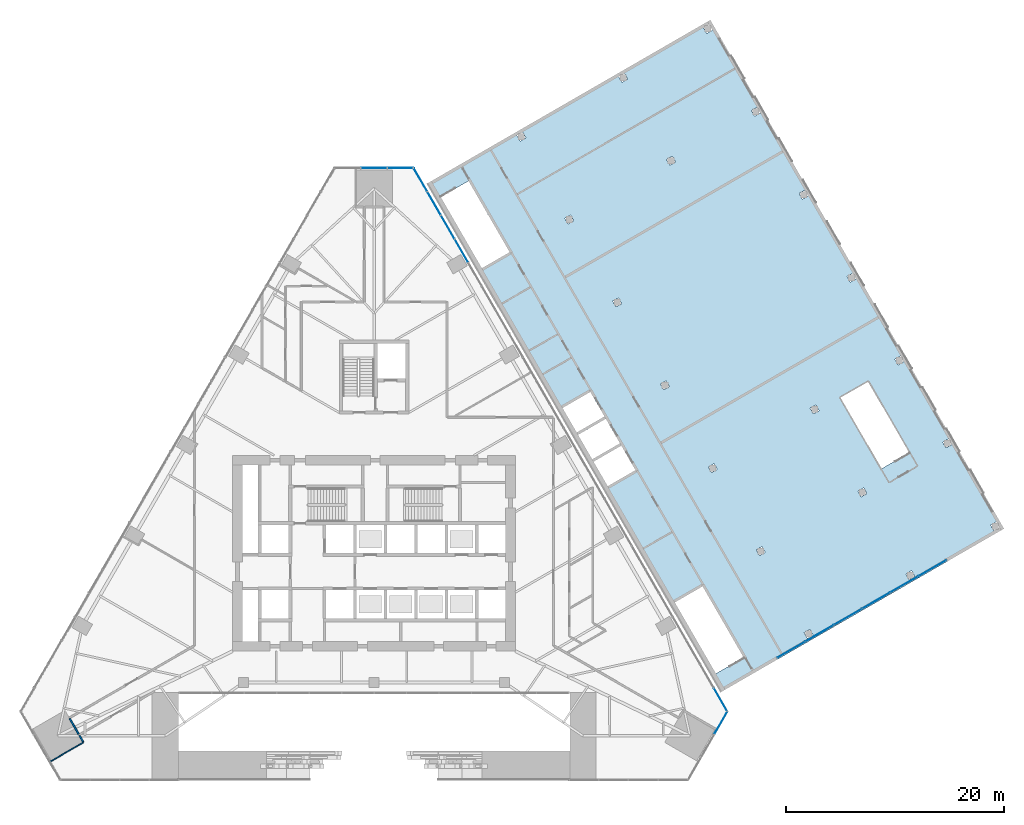
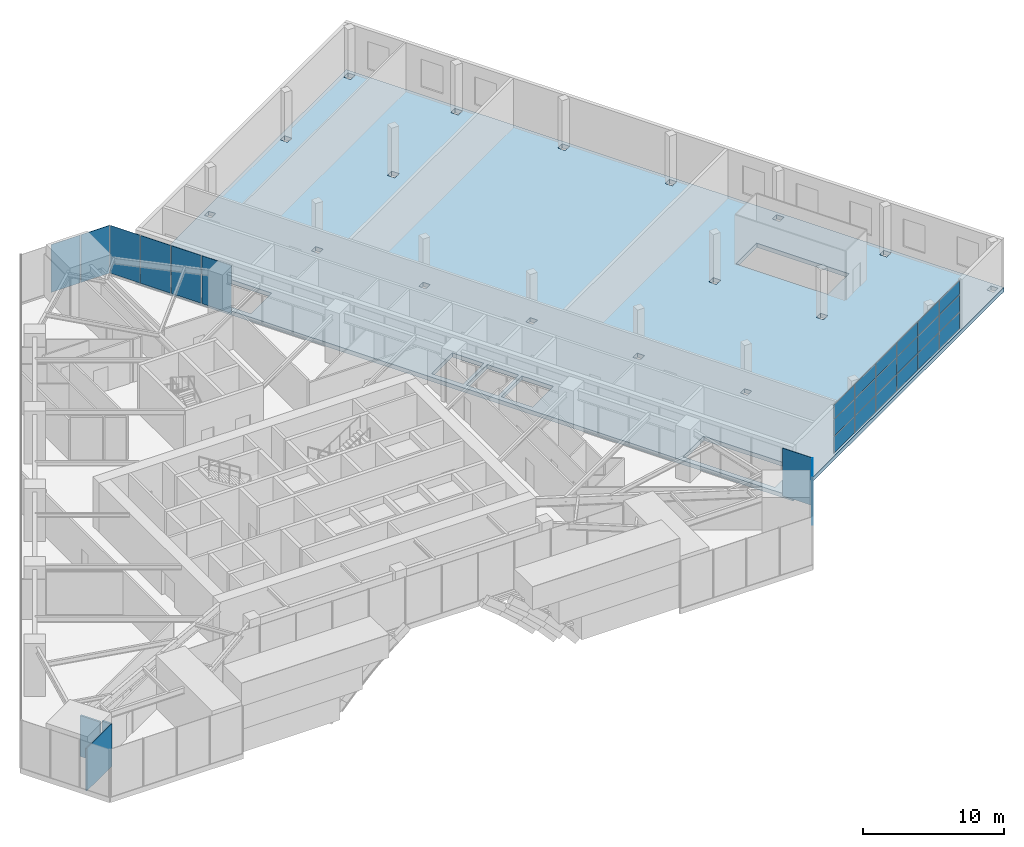
# One storey, part 15 of 23: 26 plates, 3 walls, 1 slab, 4 elements without a shape of their own.
"""IFC4 building model written with IfcOpenShell, lengths in metres."""

from ifc_helpers import new_model, si_unit, direction, frame, frame_2d, origin, origin_2d, place, context, subcontext, project, spatial, polyline, rectangle, outline, extrude, material, layer, layer_set, type_object, element, aggregate, save


model = new_model("IFC4")

# Units and contexts
model_context = context("Model", 3, precision=1e-05, world=origin(), true_north=direction((0.0, 1.0)))
body_context = subcontext(model_context, "Body", "Model", "MODEL_VIEW")
ifc_project = project(units=[si_unit("LENGTHUNIT", "METRE"), si_unit("AREAUNIT", "SQUARE_METRE"), si_unit("VOLUMEUNIT", "CUBIC_METRE"), si_unit("PLANEANGLEUNIT", "RADIAN"), si_unit("MASSUNIT", "GRAM", prefix="KILO")], contexts=[model_context])

# Site, building, storey
site_placement = place(None, origin())
site = spatial("IfcSite", under=ifc_project, at=site_placement, CompositionType="ELEMENT")
building_placement = place(site_placement, origin())
building = spatial("IfcBuilding", under=site, at=building_placement, Name="Firuza Gate Tower and Library", CompositionType="ELEMENT")
storey_placement = place(building_placement, frame((0.0, 0.0, 21.800048828125)))
storey = spatial("IfcBuildingStorey", under=building, at=storey_placement, Name="L04", CompositionType="ELEMENT", Elevation=21.800048828125)

# Curtain wall, plate
ifc_material_1 = material(Name="Aluminium 6063-T6", Category="aluminium")
ifc_layer_1 = layer(ifc_material_1, 0.14990234375)
ifc_layer_set_1 = layer_set([ifc_layer_1], Name="Stick curtain wall, podium")
curtain_wall_type_1 = type_object("IfcCurtainWallType", Name="Stick curtain wall, podium", PredefinedType="NOTDEFINED", material=ifc_layer_set_1)
placement = place(storey_placement, origin())
curtain_wall_1 = element("IfcCurtainWall", 1, at=placement, inside=storey, type_object=curtain_wall_type_1, Name="CW5 L04 SE", PredefinedType="NOTDEFINED")
ifc_material_2 = material(Name="Fritted glass", Category="glass")
ifc_layer_2 = layer(ifc_material_2, 0.030029296875)
ifc_layer_set_2 = layer_set([ifc_layer_2], Name="Clear glass unit, podium")
plate_type_1 = type_object("IfcPlateType", Name="Clear glass unit, podium", PredefinedType="CURTAIN_PANEL", material=ifc_layer_set_2)
plate_1_placement = place(storey_placement, frame((106.30517578125, 58.37451171875, 0.14990234375), z_axis=(0.866047116916, -0.499962389866, 0.0), x_axis=(0.499962389866, 0.866047116916, 0.0)))
plate_1 = element("IfcPlate", 2, at=plate_1_placement, type_object=plate_type_1, Name="Glass unit", PredefinedType="CURTAIN_PANEL", context=body_context, shape_type="SweptSolid", body=[
    extrude(outline(polyline([(0.0, 0.0), (2.3488094905771977, 0.0), (2.3488094905771977, 4.150146484375001), (0.0, 4.150146484375001), (0.0, 0.0)])), origin(), (0.0, 0.0, -1.0), 0.030029296875),
])
aggregate(curtain_wall_1, [plate_1])

# Curtain wall, plates
curtain_wall_2 = element("IfcCurtainWall", 3, at=placement, inside=storey, type_object=curtain_wall_type_1, Name="CW5 L04 E", PredefinedType="NOTDEFINED")
plate_2_placement = place(storey_placement, frame((107.4794921875, 60.492919921875, 0.14990234375), z_axis=(0.866056658381, 0.499945861543, 0.0), x_axis=(-0.499945861543, 0.866056658381, 0.0)))
plate_2 = element("IfcPlate", 4, at=plate_2_placement, type_object=plate_type_1, Name="Glass unit", PredefinedType="CURTAIN_PANEL", context=body_context, shape_type="SweptSolid", body=[
    extrude(outline(polyline([(0.0, 0.0), (2.4279972710515545, 0.0), (2.4279972710515545, 4.150146484375), (0.0, 4.150146484375), (0.0, 0.0)])), origin(), (0.0, 0.0, -1.0), 0.030029296875),
])
plate_3_placement = place(storey_placement, frame((83.652587890625, 101.7626953125, 0.14990234375), z_axis=(0.866013120021, 0.500021275498, 0.0), x_axis=(-0.500021275498, 0.866013120021, 0.0)))
plate_3 = element("IfcPlate", 5, at=plate_3_placement, type_object=plate_type_1, Name="Glass unit", PredefinedType="CURTAIN_PANEL", context=body_context, shape_type="SweptSolid", body=[
    extrude(outline(polyline([(0.0, 0.0), (2.428119337352694, 0.0), (2.428119337352694, 4.150146484374999), (0.0, 4.150146484374999), (0.0, 0.0)])), origin(), (0.0, 0.0, -1.0), 0.030029296875),
])
plate_4_placement = place(storey_placement, frame((82.3984375, 103.934814453125, 0.14990234375), z_axis=(0.866013120021, 0.500021275498, 0.0), x_axis=(-0.500021275498, 0.866013120021, 0.0)))
plate_4 = element("IfcPlate", 6, at=plate_4_placement, type_object=plate_type_1, Name="Glass unit", PredefinedType="CURTAIN_PANEL", context=body_context, shape_type="SweptSolid", body=[
    extrude(outline(polyline([(0.0, 0.0), (2.428119337352694, 0.0), (2.428119337352694, 4.150146484374999), (0.0, 4.150146484374999), (0.0, 0.0)])), origin(), (0.0, 0.0, -1.0), 0.030029296875),
])
plate_5_placement = place(storey_placement, frame((81.144287109375, 106.106689453125, 0.14990234375), z_axis=(0.866081787721, 0.499902327438, 0.0), x_axis=(-0.499902327438, 0.866081787721, 0.0)))
plate_5 = element("IfcPlate", 7, at=plate_5_placement, type_object=plate_type_1, Name="Glass unit", PredefinedType="CURTAIN_PANEL", context=body_context, shape_type="SweptSolid", body=[
    extrude(outline(polyline([(0.0, 0.0), (2.428208713733097, 0.0), (2.428208713733097, 4.150146484375), (0.0, 4.150146484375), (0.0, 0.0)])), origin(), (0.0, 0.0, -1.0), 0.030029296875),
])
plate_6_placement = place(storey_placement, frame((79.890380859375, 108.27880859375, 0.14990234375), z_axis=(0.866013120021, 0.500021275498, 0.0), x_axis=(-0.500021275498, 0.866013120021, 0.0)))
plate_6 = element("IfcPlate", 8, at=plate_6_placement, type_object=plate_type_1, Name="Glass unit", PredefinedType="CURTAIN_PANEL", context=body_context, shape_type="SweptSolid", body=[
    extrude(outline(polyline([(0.0, 0.0), (2.428119337352694, 0.0), (2.428119337352694, 4.150146484374999), (0.0, 4.150146484374999), (0.0, 0.0)])), origin(), (0.0, 0.0, -1.0), 0.030029296875),
])
aggregate(curtain_wall_2, [plate_2, plate_3, plate_4, plate_5, plate_6])

curtain_wall_3 = element("IfcCurtainWall", 9, at=placement, inside=storey, type_object=curtain_wall_type_1, Name="CW5 L04 N", PredefinedType="NOTDEFINED")
plate_7_placement = place(storey_placement, frame((78.603271484375, 110.423828125, 0.14990234375), z_axis=(0.0, 1.0, 0.0), x_axis=(-1.0, 0.0, 0.0)))
plate_7 = element("IfcPlate", 10, at=plate_7_placement, type_object=plate_type_1, Name="Glass unit", PredefinedType="CURTAIN_PANEL", context=body_context, shape_type="SweptSolid", body=[
    extrude(outline(polyline([(0.0, 0.0), (2.348876953125, 0.0), (2.348876953125, 4.150146484375), (0.0, 4.150146484375), (0.0, 0.0)])), origin(), (0.0, 0.0, -1.0), 0.030029296875),
])
plate_8_placement = place(storey_placement, frame((76.17431640625, 110.423828125, 0.14990234375), z_axis=(0.0, 1.0, 0.0), x_axis=(-1.0, 0.0, 0.0)))
plate_8 = element("IfcPlate", 11, at=plate_8_placement, type_object=plate_type_1, Name="Glass unit", PredefinedType="CURTAIN_PANEL", context=body_context, shape_type="SweptSolid", body=[
    extrude(outline(polyline([(0.0, 0.0), (2.3486328125, 0.0), (2.3486328125, 4.150146484375), (0.0, 4.150146484375), (0.0, 0.0)])), origin(), (0.0, 0.0, -1.0), 0.030029296875),
])
aggregate(curtain_wall_3, [plate_7, plate_8])

ifc_material_3 = material(Name="Aluminium", Category="aluminium")
curtain_wall_type_2 = type_object("IfcCurtainWallType", Name="LIB CURTAIN WALL", PredefinedType="NOTDEFINED", material=ifc_material_3)
curtain_wall_4 = element("IfcCurtainWall", 12, at=placement, inside=storey, type_object=curtain_wall_type_2, Name="L04 south curtain wall", PredefinedType="NOTDEFINED")
ifc_material_4 = material(Name="Ceramic-fritted glass", Category="glass")
ifc_layer_3 = layer(ifc_material_4, 0.028076171875)
ifc_layer_set_3 = layer_set([ifc_layer_3], Name="LIB CW PANEL 28")
plate_type_2 = type_object("IfcPlateType", Name="LIB CW PANEL 28", PredefinedType="CURTAIN_PANEL", material=ifc_layer_set_3)
plate_9_placement = place(storey_placement, frame((113.3662109375, 66.14697265625, 0.06005859375), z_axis=(0.0, 0.0, 1.0), x_axis=(0.866024608393, 0.500001377656, 0.0)))
plate_9 = element("IfcPlate", 13, at=plate_9_placement, type_object=plate_type_2, Name="LIB-CW panel 1.1", PredefinedType="CURTAIN_PANEL", context=body_context, shape_type="SweptSolid", body=[
    extrude(rectangle(XDim=2.909912109375, YDim=0.028076171875, at=origin_2d()), origin(), (0.0, 0.0, 1.0), 1.409912109375),
])
plate_10_placement = place(storey_placement, frame((113.3662109375, 66.14697265625, 1.530029296875), z_axis=(0.0, 0.0, 1.0), x_axis=(0.866024608393, 0.500001377656, 0.0)))
plate_10 = element("IfcPlate", 14, at=plate_10_placement, type_object=plate_type_2, Name="LIB-CW panel 1.2", PredefinedType="CURTAIN_PANEL", context=body_context, shape_type="SweptSolid", body=[
    extrude(rectangle(XDim=2.909912109375, YDim=0.028076171875, at=origin_2d()), origin(), (0.0, 0.0, 1.0), 1.43994140625),
])
plate_11_placement = place(storey_placement, frame((113.3662109375, 66.14697265625, 3.030029296875), z_axis=(0.0, 0.0, 1.0), x_axis=(0.866024608393, 0.500001377656, 0.0)))
plate_11 = element("IfcPlate", 15, at=plate_11_placement, type_object=plate_type_2, Name="LIB-CW panel 1.3", PredefinedType="CURTAIN_PANEL", context=body_context, shape_type="SweptSolid", body=[
    extrude(rectangle(XDim=2.909912109375, YDim=0.028076171875, at=origin_2d()), origin(), (0.0, 0.0, 1.0), 1.2099609375),
])
plate_12_placement = place(storey_placement, frame((115.951416015625, 67.639404296875, 0.06005859375), z_axis=(0.0, 0.0, 1.0), x_axis=(0.866024608393, 0.500001377656, 0.0)))
plate_12 = element("IfcPlate", 16, at=plate_12_placement, type_object=plate_type_2, Name="LIB-CW panel 2.1", PredefinedType="CURTAIN_PANEL", context=body_context, shape_type="SweptSolid", body=[
    extrude(rectangle(XDim=2.93994140625, YDim=0.028076171875, at=origin_2d()), origin(), (0.0, 0.0, 1.0), 1.409912109375),
])
plate_13_placement = place(storey_placement, frame((115.951416015625, 67.639404296875, 1.530029296875), z_axis=(0.0, 0.0, 1.0), x_axis=(0.866024608393, 0.500001377656, 0.0)))
plate_13 = element("IfcPlate", 17, at=plate_13_placement, type_object=plate_type_2, Name="LIB-CW panel 2.2", PredefinedType="CURTAIN_PANEL", context=body_context, shape_type="SweptSolid", body=[
    extrude(rectangle(XDim=2.93994140625, YDim=0.028076171875, at=origin_2d()), origin(), (0.0, 0.0, 1.0), 1.43994140625),
])
plate_14_placement = place(storey_placement, frame((115.951416015625, 67.639404296875, 3.030029296875), z_axis=(0.0, 0.0, 1.0), x_axis=(0.866024608393, 0.500001377656, 0.0)))
plate_14 = element("IfcPlate", 18, at=plate_14_placement, type_object=plate_type_2, Name="LIB-CW panel 2.3", PredefinedType="CURTAIN_PANEL", context=body_context, shape_type="SweptSolid", body=[
    extrude(rectangle(XDim=2.93994140625, YDim=0.028076171875, at=origin_2d()), origin(), (0.0, 0.0, 1.0), 1.2099609375),
])
plate_15_placement = place(storey_placement, frame((118.54931640625, 69.139404296875, 0.06005859375), z_axis=(0.0, 0.0, 1.0), x_axis=(0.866024608393, 0.500001377656, 0.0)))
plate_15 = element("IfcPlate", 19, at=plate_15_placement, type_object=plate_type_2, Name="LIB-CW panel 3.1", PredefinedType="CURTAIN_PANEL", context=body_context, shape_type="SweptSolid", body=[
    extrude(rectangle(XDim=2.93994140625, YDim=0.028076171875, at=origin_2d()), origin(), (0.0, 0.0, 1.0), 1.409912109375),
])
plate_16_placement = place(storey_placement, frame((118.54931640625, 69.139404296875, 1.530029296875), z_axis=(0.0, 0.0, 1.0), x_axis=(0.866024608393, 0.500001377656, 0.0)))
plate_16 = element("IfcPlate", 20, at=plate_16_placement, type_object=plate_type_2, Name="LIB-CW panel 3.2", PredefinedType="CURTAIN_PANEL", context=body_context, shape_type="SweptSolid", body=[
    extrude(rectangle(XDim=2.93994140625, YDim=0.028076171875, at=origin_2d()), origin(), (0.0, 0.0, 1.0), 1.43994140625),
])
plate_17_placement = place(storey_placement, frame((118.54931640625, 69.139404296875, 3.030029296875), z_axis=(0.0, 0.0, 1.0), x_axis=(0.866024608393, 0.500001377656, 0.0)))
plate_17 = element("IfcPlate", 21, at=plate_17_placement, type_object=plate_type_2, Name="LIB-CW panel 3.3", PredefinedType="CURTAIN_PANEL", context=body_context, shape_type="SweptSolid", body=[
    extrude(rectangle(XDim=2.93994140625, YDim=0.028076171875, at=origin_2d()), origin(), (0.0, 0.0, 1.0), 1.2099609375),
])
plate_18_placement = place(storey_placement, frame((121.1474609375, 70.639404296875, 0.06005859375), z_axis=(0.0, 0.0, 1.0), x_axis=(0.866024608393, 0.500001377656, 0.0)))
plate_18 = element("IfcPlate", 22, at=plate_18_placement, type_object=plate_type_2, Name="LIB-CW panel 4.1", PredefinedType="CURTAIN_PANEL", context=body_context, shape_type="SweptSolid", body=[
    extrude(rectangle(XDim=2.93994140625, YDim=0.028076171875, at=origin_2d()), origin(), (0.0, 0.0, 1.0), 1.409912109375),
])
plate_19_placement = place(storey_placement, frame((121.1474609375, 70.639404296875, 1.530029296875), z_axis=(0.0, 0.0, 1.0), x_axis=(0.866024608393, 0.500001377656, 0.0)))
plate_19 = element("IfcPlate", 23, at=plate_19_placement, type_object=plate_type_2, Name="LIB-CW panel 4.2", PredefinedType="CURTAIN_PANEL", context=body_context, shape_type="SweptSolid", body=[
    extrude(rectangle(XDim=2.93994140625, YDim=0.028076171875, at=origin_2d()), origin(), (0.0, 0.0, 1.0), 1.43994140625),
])
plate_20_placement = place(storey_placement, frame((121.1474609375, 70.639404296875, 3.030029296875), z_axis=(0.0, 0.0, 1.0), x_axis=(0.866024608393, 0.500001377656, 0.0)))
plate_20 = element("IfcPlate", 24, at=plate_20_placement, type_object=plate_type_2, Name="LIB-CW panel 4.3", PredefinedType="CURTAIN_PANEL", context=body_context, shape_type="SweptSolid", body=[
    extrude(rectangle(XDim=2.93994140625, YDim=0.028076171875, at=origin_2d()), origin(), (0.0, 0.0, 1.0), 1.2099609375),
])
plate_21_placement = place(storey_placement, frame((123.74560546875, 72.139404296875, 0.06005859375), z_axis=(0.0, 0.0, 1.0), x_axis=(0.866024608393, 0.500001377656, 0.0)))
plate_21 = element("IfcPlate", 25, at=plate_21_placement, type_object=plate_type_2, Name="LIB-CW panel 5.1", PredefinedType="CURTAIN_PANEL", context=body_context, shape_type="SweptSolid", body=[
    extrude(rectangle(XDim=2.93994140625, YDim=0.028076171875, at=origin_2d()), origin(), (0.0, 0.0, 1.0), 1.409912109375),
])
plate_22_placement = place(storey_placement, frame((123.74560546875, 72.139404296875, 1.530029296875), z_axis=(0.0, 0.0, 1.0), x_axis=(0.866024608393, 0.500001377656, 0.0)))
plate_22 = element("IfcPlate", 26, at=plate_22_placement, type_object=plate_type_2, Name="LIB-CW panel 5.2", PredefinedType="CURTAIN_PANEL", context=body_context, shape_type="SweptSolid", body=[
    extrude(rectangle(XDim=2.93994140625, YDim=0.028076171875, at=origin_2d()), origin(), (0.0, 0.0, 1.0), 1.43994140625),
])
plate_23_placement = place(storey_placement, frame((123.74560546875, 72.139404296875, 3.030029296875), z_axis=(0.0, 0.0, 1.0), x_axis=(0.866024608393, 0.500001377656, 0.0)))
plate_23 = element("IfcPlate", 27, at=plate_23_placement, type_object=plate_type_2, Name="LIB-CW panel 5.3", PredefinedType="CURTAIN_PANEL", context=body_context, shape_type="SweptSolid", body=[
    extrude(rectangle(XDim=2.93994140625, YDim=0.028076171875, at=origin_2d()), origin(), (0.0, 0.0, 1.0), 1.2099609375),
])
plate_24_placement = place(storey_placement, frame((126.33056640625, 73.632080078125, 0.06005859375), z_axis=(0.0, 0.0, 1.0), x_axis=(0.866024608393, 0.500001377656, 0.0)))
plate_24 = element("IfcPlate", 28, at=plate_24_placement, type_object=plate_type_2, Name="LIB-CW panel 6.1", PredefinedType="CURTAIN_PANEL", context=body_context, shape_type="SweptSolid", body=[
    extrude(rectangle(XDim=2.909912109375, YDim=0.028076171875, at=origin_2d()), origin(), (0.0, 0.0, 1.0), 1.409912109375),
])
plate_25_placement = place(storey_placement, frame((126.33056640625, 73.632080078125, 1.530029296875), z_axis=(0.0, 0.0, 1.0), x_axis=(0.866024608393, 0.500001377656, 0.0)))
plate_25 = element("IfcPlate", 29, at=plate_25_placement, type_object=plate_type_2, Name="LIB-CW panel 6.2", PredefinedType="CURTAIN_PANEL", context=body_context, shape_type="SweptSolid", body=[
    extrude(rectangle(XDim=2.909912109375, YDim=0.028076171875, at=origin_2d()), origin(), (0.0, 0.0, 1.0), 1.43994140625),
])
plate_26_placement = place(storey_placement, frame((126.33056640625, 73.632080078125, 3.030029296875), z_axis=(0.0, 0.0, 1.0), x_axis=(0.866024608393, 0.500001377656, 0.0)))
plate_26 = element("IfcPlate", 30, at=plate_26_placement, type_object=plate_type_2, Name="LIB-CW panel 6.3", PredefinedType="CURTAIN_PANEL", context=body_context, shape_type="SweptSolid", body=[
    extrude(rectangle(XDim=2.909912109375, YDim=0.028076171875, at=origin_2d()), origin(), (0.0, 0.0, 1.0), 1.2099609375),
])
aggregate(curtain_wall_4, [plate_9, plate_10, plate_11, plate_12, plate_13, plate_14, plate_15, plate_16, plate_17, plate_18, plate_19, plate_20, plate_21, plate_22, plate_23, plate_24, plate_25, plate_26])

# Slab
ifc_material_5 = material(Name="Concrete C40/50", Category="concrete")
ifc_layer_4 = layer(ifc_material_5, 0.360107421875)
ifc_layer_set_4 = layer_set([ifc_layer_4], Name="LIB FLAT SLAB 360")
slab_type = type_object("IfcSlabType", Name="LIB FLAT SLAB 360", PredefinedType="FLOOR", material=ifc_layer_set_4)
slab_placement = place(storey_placement, frame((0.0, 0.0, -0.360107421875)))
element("IfcSlab", 31, at=slab_placement, inside=storey, type_object=slab_type, Name="Library floor slab L04", PredefinedType="FLOOR", context=body_context, shape_type="SweptSolid", body=[
    extrude(outline(polyline([(106.93310546875, 62.259521484375), (132.913818359375, 77.259521484375), (105.913818359375, 124.02490234375), (79.93310546875, 109.02490234375), (106.93310546875, 62.259521484375)]), holes=[polyline([(108.98388671875, 65.4072265625), (105.2041015625, 71.9541015625), (102.6494140625, 70.47900390625), (106.42919921875, 63.932373046875), (108.98388671875, 65.4072265625)]), polyline([(96.4794921875, 81.165771484375), (99.0341796875, 82.640869140625), (97.734130859375, 84.892333984375), (95.179443359375, 83.41748046875), (96.4794921875, 81.165771484375)]), polyline([(95.054443359375, 83.6337890625), (97.609130859375, 85.10888671875), (96.30908203125, 87.360595703125), (93.75439453125, 85.885498046875), (95.054443359375, 83.6337890625)]), polyline([(114.537109375, 67.68896484375), (114.8369140625, 67.16943359375), (115.356689453125, 67.469482421875), (115.056640625, 67.989013671875), (114.537109375, 67.68896484375)]), polyline([(110.43701171875, 74.79052734375), (110.956787109375, 75.090576171875), (110.65673828125, 75.610107421875), (110.136962890625, 75.31005859375), (110.43701171875, 74.79052734375)]), polyline([(106.037109375, 82.41162109375), (106.556640625, 82.71142578125), (106.256591796875, 83.231201171875), (105.737060546875, 82.93115234375), (106.037109375, 82.41162109375)]), polyline([(123.89013671875, 73.089111328125), (124.190185546875, 72.5693359375), (124.709716796875, 72.869384765625), (124.40966796875, 73.388916015625), (123.89013671875, 73.089111328125)]), polyline([(119.7900390625, 80.1904296875), (120.309814453125, 80.490478515625), (120.009765625, 81.010009765625), (119.489990234375, 80.710205078125), (119.7900390625, 80.1904296875)]), polyline([(115.39013671875, 87.8115234375), (115.90966796875, 88.111572265625), (115.609619140625, 88.631103515625), (115.090087890625, 88.3310546875), (115.39013671875, 87.8115234375)]), polyline([(124.2060546875, 84.24169921875), (120.426513671875, 90.788330078125), (117.87158203125, 89.3134765625), (121.6513671875, 82.7666015625), (124.2060546875, 84.24169921875)]), polyline([(131.984375, 77.0693359375), (132.50390625, 77.369384765625), (132.2041015625, 77.888916015625), (131.684326171875, 77.589111328125), (131.984375, 77.0693359375)]), polyline([(127.58447265625, 84.6904296875), (128.10400390625, 84.990478515625), (127.803955078125, 85.510009765625), (127.284423828125, 85.210205078125), (127.58447265625, 84.6904296875)]), polyline([(122.884521484375, 92.8310546875), (123.184326171875, 92.3115234375), (123.7041015625, 92.611572265625), (123.404052734375, 93.131103515625), (122.884521484375, 92.8310546875)]), polyline([(84.909423828125, 101.20556640625), (87.464111328125, 102.6806640625), (83.684326171875, 109.227294921875), (81.129638671875, 107.752197265625), (84.909423828125, 101.20556640625)]), polyline([(93.62939453125, 86.10205078125), (96.18408203125, 87.5771484375), (94.88427734375, 89.828857421875), (92.329345703125, 88.353759765625), (93.62939453125, 86.10205078125)]), polyline([(101.3369140625, 90.552001953125), (101.636962890625, 90.032470703125), (102.15673828125, 90.33251953125), (101.856689453125, 90.85205078125), (101.3369140625, 90.552001953125)]), polyline([(97.237060546875, 97.653564453125), (97.756591796875, 97.95361328125), (97.456787109375, 98.47314453125), (96.93701171875, 98.173095703125), (97.237060546875, 97.653564453125)]), polyline([(92.8369140625, 105.2744140625), (93.356689453125, 105.574462890625), (93.056640625, 106.09423828125), (92.537109375, 105.794189453125), (92.8369140625, 105.2744140625)]), polyline([(88.136962890625, 113.415283203125), (88.43701171875, 112.8955078125), (88.956787109375, 113.195556640625), (88.65673828125, 113.715087890625), (88.136962890625, 113.415283203125)]), polyline([(102.190185546875, 110.674560546875), (102.709716796875, 110.974609375), (102.40966796875, 111.494140625), (101.89013671875, 111.194091796875), (102.190185546875, 110.674560546875)]), polyline([(97.7900390625, 118.295654296875), (98.309814453125, 118.595703125), (98.009765625, 119.115234375), (97.489990234375, 118.815185546875), (97.7900390625, 118.295654296875)]), polyline([(118.784423828125, 99.9326171875), (119.303955078125, 100.232421875), (119.00390625, 100.752197265625), (118.484375, 100.4521484375), (118.784423828125, 99.9326171875)]), polyline([(114.384521484375, 107.553466796875), (114.904052734375, 107.853515625), (114.60400390625, 108.373046875), (114.08447265625, 108.072998046875), (114.384521484375, 107.553466796875)]), polyline([(109.984375, 115.174560546875), (110.50390625, 115.474609375), (110.2041015625, 115.994140625), (109.684326171875, 115.694091796875), (109.984375, 115.174560546875)]), polyline([(105.58447265625, 122.795654296875), (106.10400390625, 123.095703125), (105.803955078125, 123.615234375), (105.284423828125, 123.315185546875), (105.58447265625, 122.795654296875)])]), origin(), (0.0, 0.0, 1.0), 0.360107421875),
])

# Walls
ifc_material_6 = material(Name="Gypsum board partition")
ifc_layer_5 = layer(ifc_material_6, 0.14990234375)
ifc_layer_set_5 = layer_set([ifc_layer_5], Name="Corridor wall 150 double board on steel studs")
wall_type_1 = type_object("IfcWallType", Name="Corridor wall 150 double board on steel studs", PredefinedType="PARTITIONING", material=ifc_layer_set_5)
wall_1_placement = place(storey_placement, frame((48.255859375, 57.654541015625, 0.0), z_axis=(0.0, 0.0, 1.0), x_axis=(-0.500108776725, 0.865962592404, 0.0)))
element("IfcWall", 32, at=wall_1_placement, inside=storey, type_object=wall_type_1, Name="f:L04:w031", PredefinedType="PARTITIONING", context=body_context, shape_type="SweptSolid", body=[
    extrude(rectangle(XDim=0.674560546875, YDim=0.14990234375, at=frame_2d((0.33740234375, 0.0))), origin(), (0.0, 0.0, 1.0), 3.699951171875),
])
wall_2_placement = place(storey_placement, frame((47.843505859375, 58.36865234375, 0.0), z_axis=(0.0, 0.0, 1.0), x_axis=(-0.499991515992, 0.866030301974, 0.0)))
element("IfcWall", 33, at=wall_2_placement, inside=storey, type_object=wall_type_1, Name="f:L04:w046", PredefinedType="PARTITIONING", context=body_context, shape_type="SweptSolid", body=[
    extrude(rectangle(XDim=1.6494140625, YDim=0.14990234375, at=frame_2d((0.82470703125, 0.0))), origin(), (0.0, 0.0, 1.0), 3.546875),
])
ifc_material_7 = material(Name="Gypsum board partition")
ifc_layer_6 = layer(ifc_material_7, 0.10009765625)
ifc_layer_set_6 = layer_set([ifc_layer_6], Name="Partition 100 gypsum board on steel studs")
wall_type_2 = type_object("IfcWallType", Name="Partition 100 gypsum board on steel studs", PredefinedType="PARTITIONING", material=ifc_layer_set_6)
wall_3_placement = place(storey_placement, frame((45.197998046875, 55.830810546875, 0.0), z_axis=(0.0, 0.0, 1.0), x_axis=(0.866014251095, 0.500019316528, 0.0)))
element("IfcWall", 34, at=wall_3_placement, inside=storey, type_object=wall_type_2, Name="f:L04:w009", PredefinedType="PARTITIONING", context=body_context, shape_type="SweptSolid", body=[
    extrude(rectangle(XDim=3.559326171875, YDim=0.10009765625, at=frame_2d((1.77978515625, 0.0))), origin(), (0.0, 0.0, 1.0), 3.699951171875),
])

save(model, "model.ifc")
